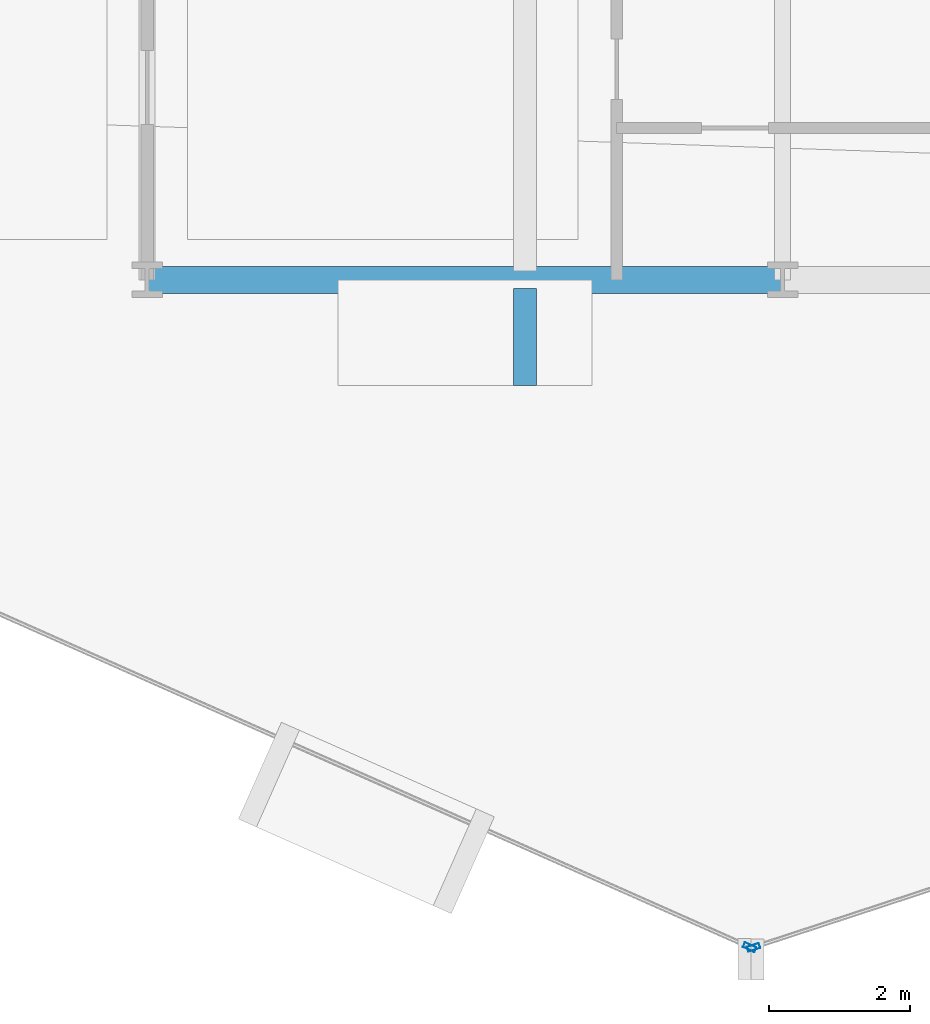
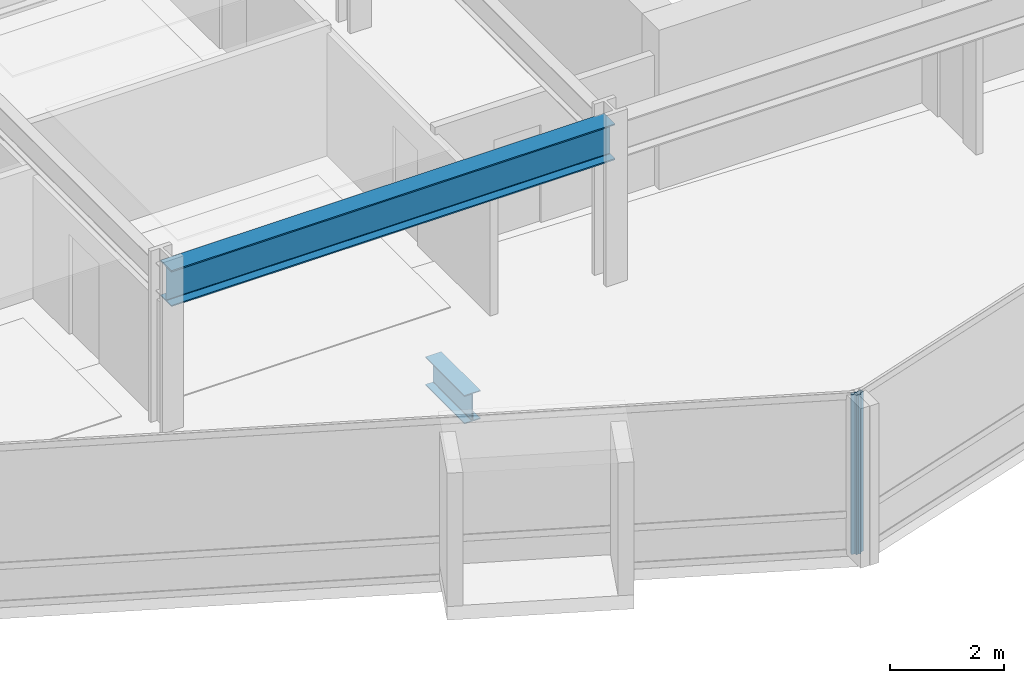
# One storey, part 4 of 34: 2 beams, 2 members, 2 elements without a shape of their own.
"""IFC4 building model written with IfcOpenShell, lengths in metres."""

from ifc_helpers import new_model, si_unit, direction, frame, origin, origin_2d, place, context, subcontext, project, spatial, hollow_rectangle, i_section, extrude, material, layer, layer_set, material_profile, profile_set, type_object, element, aggregate, save


model = new_model("IFC4")

# Units and contexts
model_context = context("Model", 3, precision=1e-05, world=origin(), true_north=direction((0.0, 1.0)))
body_context = subcontext(model_context, "Body", "Model", "MODEL_VIEW")
ifc_project = project(units=[si_unit("LENGTHUNIT", "METRE"), si_unit("AREAUNIT", "SQUARE_METRE"), si_unit("VOLUMEUNIT", "CUBIC_METRE"), si_unit("PLANEANGLEUNIT", "RADIAN"), si_unit("MASSUNIT", "GRAM", prefix="KILO")], contexts=[model_context])

# Site, building, storey
site_placement = place(None, origin())
site = spatial("IfcSite", under=ifc_project, at=site_placement, CompositionType="ELEMENT")
building_placement = place(site_placement, origin())
building = spatial("IfcBuilding", under=site, at=building_placement, Name="Solvaryn Broadcast Tower", CompositionType="ELEMENT")
storey_placement = place(building_placement, frame((0.0, 0.0, 43.39990234375)))
storey = spatial("IfcBuildingStorey", under=building, at=storey_placement, Name="L09", CompositionType="ELEMENT", Elevation=43.39990234375)

# Beams
ifc_material_1 = material(Name="Steel ASTM A992 Grade 50", Category="steel")
ifc_material_profile_1 = material_profile(ifc_material_1, i_section(OverallWidth=0.323974609375, OverallDepth=0.611083984375, WebThickness=0.0126953125, FlangeThickness=0.01904296875, FilletRadius=0.014892578125, at=origin_2d()))
ifc_profile_set_1 = profile_set([ifc_material_profile_1], Name="Steel ASTM A992 Grade 50")
beam_type_1 = type_object("IfcBeamType", Name="BM-CANT-TER", PredefinedType="BEAM", material=ifc_profile_set_1)
beam_1_placement = place(storey_placement, frame((23.35009765625, 8.875, -0.58544921875), z_axis=(0.0, -1.0, 0.0), x_axis=(1.0, 0.0, 0.0)))
element("IfcBeam", 1, at=beam_1_placement, inside=storey, type_object=beam_type_1, Name="L09 Bay-Box Cantilever Bracket 1", PredefinedType="BEAM", context=body_context, shape_type="SweptSolid", body=[
    extrude(i_section(OverallWidth=0.323974609375, OverallDepth=0.611083984375, WebThickness=0.0126953125, FlangeThickness=0.01904296875, FilletRadius=0.014892578125, at=origin_2d()), origin(), (0.0, 0.0, 1.0), 1.375),
])
ifc_material_2 = material(Name="Steel ASTM A992 Grade 50", Category="steel")
ifc_material_profile_2 = material_profile(ifc_material_2, i_section(OverallWidth=0.381103515625, OverallDepth=0.77294921875, WebThickness=0.0166015625, FlangeThickness=0.027099609375, FilletRadius=0.01806640625, at=origin_2d()))
ifc_profile_set_2 = profile_set([ifc_material_profile_2], Name="Steel ASTM A992 Grade 50")
beam_type_2 = type_object("IfcBeamType", Name="BM-SP1-W30X173", PredefinedType="USERDEFINED", material=ifc_profile_set_2)
beam_2_placement = place(storey_placement, frame((18.0, 9.0, 3.03369140625), z_axis=(1.0, 0.0, 0.0), x_axis=(0.0, 1.0, 0.0)))
element("IfcBeam", 2, at=beam_2_placement, inside=storey, type_object=beam_type_2, Name="L09 Spandrel Beam X (18-27 @ Y=9)", ObjectType="SPANDREL", PredefinedType="USERDEFINED", context=body_context, shape_type="SweptSolid", body=[
    extrude(i_section(OverallWidth=0.381103515625, OverallDepth=0.77294921875, WebThickness=0.0166015625, FlangeThickness=0.027099609375, FilletRadius=0.01806640625, at=origin_2d()), origin(), (0.0, 0.0, 1.0), 9.0),
])

# Curtain wall, member
ifc_material_3 = material(Name="Aluminium and Terracotta Unitised Curtain Wall", Category="masonry")
ifc_layer = layer(ifc_material_3, 0.199951171875)
ifc_layer_set = layer_set([ifc_layer], Name="CW-SYS2-LOWMID")
curtain_wall_type = type_object("IfcCurtainWallType", Name="CW-SYS2-LOWMID", PredefinedType="NOTDEFINED", material=ifc_layer_set)
curtain_wall_1_placement = place(storey_placement, origin())
curtain_wall_1 = element("IfcCurtainWall", 3, at=curtain_wall_1_placement, inside=storey, type_object=curtain_wall_type, Name="L09 Curtain Wall DR3", PredefinedType="NOTDEFINED")
ifc_material_4 = material(Name="Anodised Aluminium 6063-T6", Category="aluminium")
ifc_material_profile_3 = material_profile(ifc_material_4, hollow_rectangle(XDim=0.074951171875, YDim=0.179931640625, WallThickness=0.00390625, InnerFilletRadius=0.00390625, OuterFilletRadius=0.008056640625, at=origin_2d()))
ifc_profile_set_3 = profile_set([ifc_material_profile_3], Name="Anodised Aluminium 6063-T6")
member_type = type_object("IfcMemberType", Name="CW-MUL-180", PredefinedType="MULLION", material=ifc_profile_set_3)
member_1_placement = place(storey_placement, frame((26.532470703125, -0.451904296875, 0.0), z_axis=(0.0, 0.0, 1.0), x_axis=(0.405898286554, 0.913918257271, 0.0)))
member_1 = element("IfcMember", 4, at=member_1_placement, type_object=member_type, Name="CWS2 mullion 2", PredefinedType="MULLION", context=body_context, shape_type="SweptSolid", body=[
    extrude(hollow_rectangle(XDim=0.074951171875, YDim=0.179931640625, WallThickness=0.00390625, InnerFilletRadius=0.00390625, OuterFilletRadius=0.008056640625, at=origin_2d()), origin(), (0.0, 0.0, 1.0), 3.420166015625),
])
aggregate(curtain_wall_1, [member_1])

curtain_wall_2_placement = place(storey_placement, origin())
curtain_wall_2 = element("IfcCurtainWall", 5, at=curtain_wall_2_placement, inside=storey, type_object=curtain_wall_type, Name="L09 Curtain Wall DR4", PredefinedType="NOTDEFINED")
member_2_placement = place(storey_placement, frame((26.588623046875, -0.45458984375, 0.0), z_axis=(0.0, 0.0, 1.0), x_axis=(-0.311594044587, 0.950215318429, 0.0)))
member_2 = element("IfcMember", 6, at=member_2_placement, type_object=member_type, Name="CWS2 mullion 1", PredefinedType="MULLION", context=body_context, shape_type="SweptSolid", body=[
    extrude(hollow_rectangle(XDim=0.074951171875, YDim=0.179931640625, WallThickness=0.00390625, InnerFilletRadius=0.00390625, OuterFilletRadius=0.008056640625, at=origin_2d()), origin(), (0.0, 0.0, 1.0), 3.420166015625),
])
aggregate(curtain_wall_2, [member_2])

save(model, "model.ifc")
